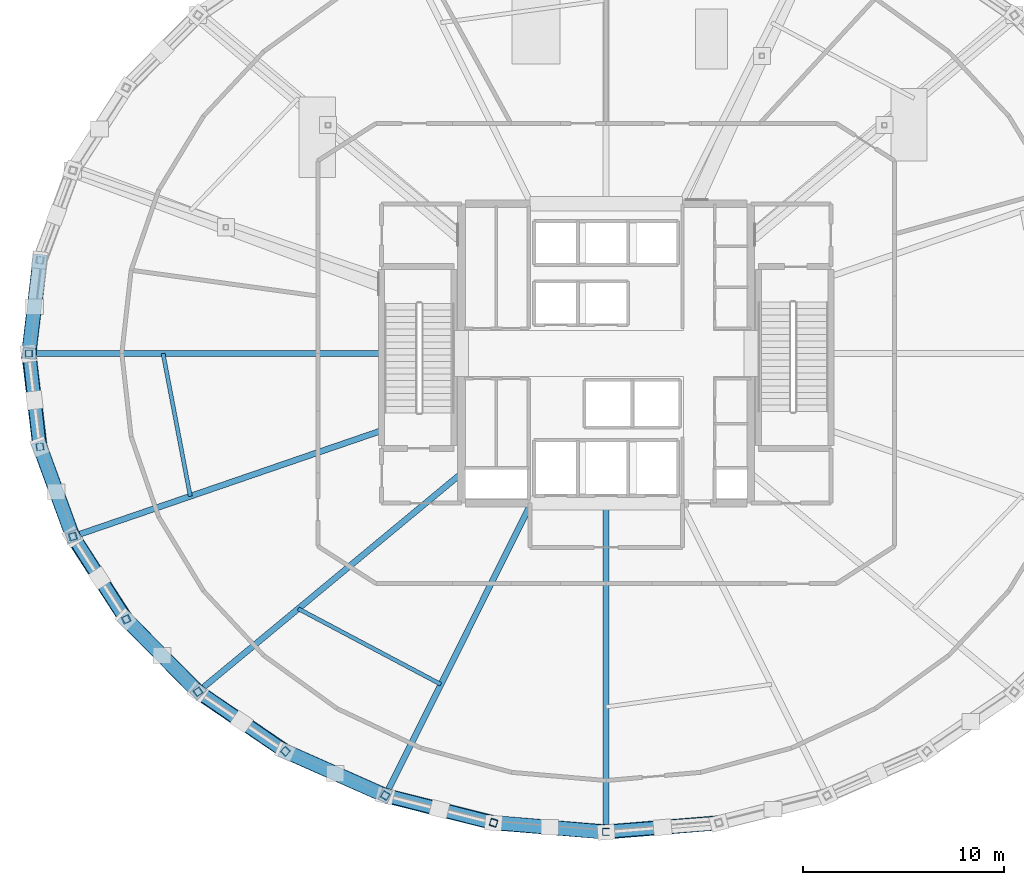
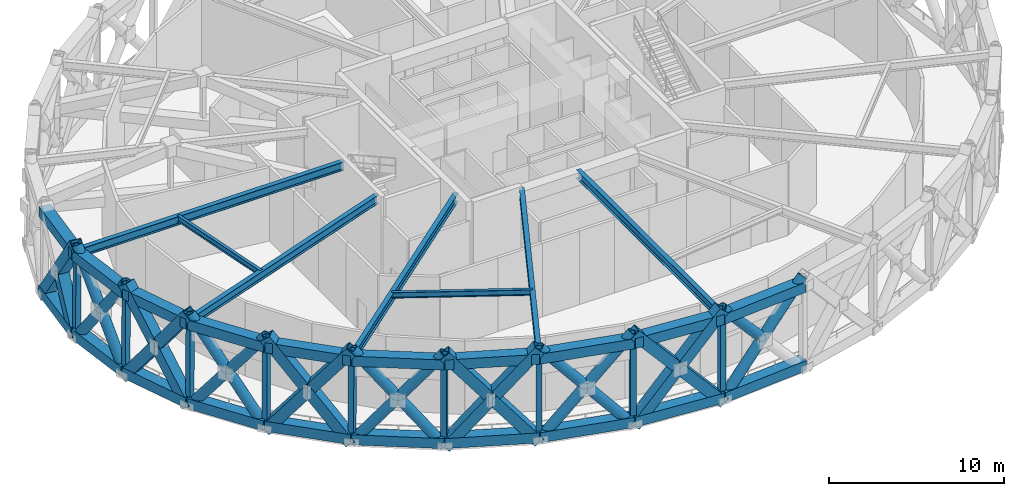
# One storey, part 1 of 15: 37 members, 27 beams.
"""IFC4 building model written with IfcOpenShell, lengths in metres."""

from ifc_helpers import new_model, si_unit, direction, frame, origin, origin_2d, place, context, subcontext, project, spatial, hollow_rectangle, hollow_circle, i_section, extrude, material, material_profile, profile_set, type_object, element, save


model = new_model("IFC4")

# Units and contexts
model_context = context("Model", 3, precision=1e-05, world=origin(), true_north=direction((0.0, 1.0)))
body_context = subcontext(model_context, "Body", "Model", "MODEL_VIEW")
ifc_project = project(units=[si_unit("LENGTHUNIT", "METRE"), si_unit("AREAUNIT", "SQUARE_METRE"), si_unit("VOLUMEUNIT", "CUBIC_METRE"), si_unit("PLANEANGLEUNIT", "RADIAN"), si_unit("MASSUNIT", "GRAM", prefix="KILO")], contexts=[model_context])

# Site, building, storey
site_placement = place(None, origin())
site = spatial("IfcSite", under=ifc_project, at=site_placement, CompositionType="ELEMENT")
building_placement = place(site_placement, origin())
building = spatial("IfcBuilding", under=site, at=building_placement, Name="Veldorina Hangang Commons", CompositionType="ELEMENT")
storey_placement = place(building_placement, frame((0.0, 0.0, 110.800048828125)))
storey = spatial("IfcBuildingStorey", under=building, at=storey_placement, Name="L28", CompositionType="ELEMENT", Elevation=110.800048828125)

# Beams
ifc_material_1 = material(Name="Steel SM460-TMC", Category="steel")
ifc_material_profile_1 = material_profile(ifc_material_1, hollow_rectangle(XDim=0.699951171875, YDim=0.699951171875, WallThickness=0.034912109375, at=origin_2d()), Name="BOX-700x700x35")
ifc_profile_set_1 = profile_set([ifc_material_profile_1], Name="Steel SM460-TMC")
beam_type_1 = type_object("IfcBeamType", Name="BM-BLT700", PredefinedType="BEAM", material=ifc_profile_set_1)
for number, where, z_axis, x_axis, name in (
    (1, (3.841552734375, 28.642578125, 5.800048828125), (-0.11801673487, -0.993011606322, 0.0), (0.993011606322, -0.11801673487, 0.0), "L28 perimeter hoop ring beam 15"),
    (2, (3.289794921875, 24.0, 5.800048828125), (0.11801673487, -0.993011606322, 0.0), (0.993011606322, 0.11801673487, 0.0), "L28 perimeter hoop ring beam 16"),
):
    element("IfcBeam", number, at=place(storey_placement, frame(where, z_axis=z_axis, x_axis=x_axis)), inside=storey, type_object=beam_type_1, Name=name, PredefinedType="BEAM", context=body_context, shape_type="SweptSolid", body=[
        extrude(hollow_rectangle(XDim=0.699951171875, YDim=0.699951171875, WallThickness=0.034912109375, at=origin_2d()), origin(), (0.0, 0.0, 1.0), 4.67529296875),
    ])
beam_1_placement = place(storey_placement, frame((3.841552734375, 19.357421875, 5.800048828125), z_axis=(0.343688691321, -0.939083640289, 0.0), x_axis=(0.939083640289, 0.343688691321, 0.0)))
element("IfcBeam", 3, at=beam_1_placement, inside=storey, type_object=beam_type_1, Name="L28 perimeter hoop ring beam 17", PredefinedType="BEAM", context=body_context, shape_type="SweptSolid", body=[
    extrude(hollow_rectangle(XDim=0.699951171875, YDim=0.699951171875, WallThickness=0.034912109375, at=origin_2d()), origin(), (0.0, 0.0, 1.0), 4.753662109375),
])
beam_2_placement = place(storey_placement, frame((5.475341796875, 14.893310546875, 5.800048828125), z_axis=(0.541941702244, -0.840416082288, 0.0), x_axis=(0.840416082288, 0.541941702244, 0.0)))
element("IfcBeam", 4, at=beam_2_placement, inside=storey, type_object=beam_type_1, Name="L28 perimeter hoop ring beam 18", PredefinedType="BEAM", context=body_context, shape_type="SweptSolid", body=[
    extrude(hollow_rectangle(XDim=0.699951171875, YDim=0.699951171875, WallThickness=0.034912109375, at=origin_2d()), origin(), (0.0, 0.0, 1.0), 4.8955078125),
])
beam_3_placement = place(storey_placement, frame((8.12841796875, 10.779052734375, 5.800048828125), z_axis=(0.703561848437, -0.710634030584, 0.0), x_axis=(0.710634030584, 0.703561848437, 0.0)))
element("IfcBeam", 5, at=beam_3_placement, inside=storey, type_object=beam_type_1, Name="L28 perimeter hoop ring beam 19", PredefinedType="BEAM", context=body_context, shape_type="SweptSolid", body=[
    extrude(hollow_rectangle(XDim=0.699951171875, YDim=0.699951171875, WallThickness=0.034912109375, at=origin_2d()), origin(), (0.0, 0.0, 1.0), 5.07470703125),
])
beam_4_placement = place(storey_placement, frame((11.69873046875, 7.1728515625, 5.800048828125), z_axis=(0.82684623749, -0.56242803944, 0.0), x_axis=(0.56242803944, 0.82684623749, 0.0)))
element("IfcBeam", 6, at=beam_4_placement, inside=storey, type_object=beam_type_1, Name="L28 perimeter hoop ring beam 20", PredefinedType="BEAM", context=body_context, shape_type="SweptSolid", body=[
    extrude(hollow_rectangle(XDim=0.699951171875, YDim=0.699951171875, WallThickness=0.034912109375, at=origin_2d()), origin(), (0.0, 0.0, 1.0), 5.261962890625),
])
beam_5_placement = place(storey_placement, frame((16.049560546875, 4.21337890625, 5.800048828125), z_axis=(0.914294911921, -0.405049150149, 0.0), x_axis=(0.405049150149, 0.914294911921, 0.0)))
element("IfcBeam", 7, at=beam_5_placement, inside=storey, type_object=beam_type_1, Name="L28 perimeter hoop ring beam 21", PredefinedType="BEAM", context=body_context, shape_type="SweptSolid", body=[
    extrude(hollow_rectangle(XDim=0.699951171875, YDim=0.699951171875, WallThickness=0.034912109375, at=origin_2d()), origin(), (0.0, 0.0, 1.0), 5.428955078125),
])
beam_6_placement = place(storey_placement, frame((21.01318359375, 2.014404296875, 5.800048828125), z_axis=(0.969810585596, -0.243859443259, 0.0), x_axis=(0.243859443259, 0.969810585596, 0.0)))
element("IfcBeam", 8, at=beam_6_placement, inside=storey, type_object=beam_type_1, Name="L28 perimeter hoop ring beam 22", PredefinedType="BEAM", context=body_context, shape_type="SweptSolid", body=[
    extrude(hollow_rectangle(XDim=0.699951171875, YDim=0.699951171875, WallThickness=0.034912109375, at=origin_2d()), origin(), (0.0, 0.0, 1.0), 5.553466796875),
])
for number, where, z_axis, x_axis, name in (
    (9, (26.39892578125, 0.66015625, 5.800048828125), (0.99668396872, -0.081369936074, 0.0), (0.081369936074, 0.99668396872, 0.0), "L28 perimeter hoop ring beam 23"),
    (10, (32.0, 0.202880859375, 5.800048828125), (0.99668396872, 0.081369936074, 0.0), (-0.081369936074, 0.99668396872, 0.0), "L28 perimeter hoop ring beam 24"),
):
    element("IfcBeam", number, at=place(storey_placement, frame(where, z_axis=z_axis, x_axis=x_axis)), inside=storey, type_object=beam_type_1, Name=name, PredefinedType="BEAM", context=body_context, shape_type="SweptSolid", body=[
        extrude(hollow_rectangle(XDim=0.699951171875, YDim=0.699951171875, WallThickness=0.034912109375, at=origin_2d()), origin(), (0.0, 0.0, 1.0), 5.61962890625),
    ])
for number, where, z_axis, x_axis, name in (
    (11, (3.80712890625, 28.6474609375, 0.349853515625), (-0.117997345325, -0.993013910525, 0.0), (0.993013910525, -0.117997345325, 0.0), "L28 perimeter belt truss bottom chord 15"),
    (12, (3.2548828125, 24.0, 0.349853515625), (0.117997345325, -0.993013910525, 0.0), (0.993013910525, 0.117997345325, 0.0), "L28 perimeter belt truss bottom chord 16"),
):
    element("IfcBeam", number, at=place(storey_placement, frame(where, z_axis=z_axis, x_axis=x_axis)), inside=storey, type_object=beam_type_1, Name=name, PredefinedType="BEAM", context=body_context, shape_type="SweptSolid", body=[
        extrude(hollow_rectangle(XDim=0.699951171875, YDim=0.699951171875, WallThickness=0.034912109375, at=origin_2d()), origin(), (0.0, 0.0, 1.0), 4.68017578125),
    ])
beam_7_placement = place(storey_placement, frame((3.80712890625, 19.3525390625, 0.349853515625), z_axis=(0.343736030444, -0.939066313619, 0.0), x_axis=(0.939066313619, 0.343736030444, 0.0)))
element("IfcBeam", 13, at=beam_7_placement, inside=storey, type_object=beam_type_1, Name="L28 perimeter belt truss bottom chord 17", PredefinedType="BEAM", context=body_context, shape_type="SweptSolid", body=[
    extrude(hollow_rectangle(XDim=0.699951171875, YDim=0.699951171875, WallThickness=0.034912109375, at=origin_2d()), origin(), (0.0, 0.0, 1.0), 4.7587890625),
])
beam_8_placement = place(storey_placement, frame((5.44287109375, 14.8837890625, 0.349853515625), z_axis=(0.542013393929, -0.840369847628, 0.0), x_axis=(0.840369847628, 0.542013393929, 0.0)))
element("IfcBeam", 14, at=beam_8_placement, inside=storey, type_object=beam_type_1, Name="L28 perimeter belt truss bottom chord 18", PredefinedType="BEAM", context=body_context, shape_type="SweptSolid", body=[
    extrude(hollow_rectangle(XDim=0.699951171875, YDim=0.699951171875, WallThickness=0.034912109375, at=origin_2d()), origin(), (0.0, 0.0, 1.0), 4.900634765625),
])
beam_9_placement = place(storey_placement, frame((8.09912109375, 10.765380859375, 0.349853515625), z_axis=(0.70366253431, -0.710534332603, 0.0), x_axis=(0.710534332603, 0.70366253431, 0.0)))
element("IfcBeam", 15, at=beam_9_placement, inside=storey, type_object=beam_type_1, Name="L28 perimeter belt truss bottom chord 19", PredefinedType="BEAM", context=body_context, shape_type="SweptSolid", body=[
    extrude(hollow_rectangle(XDim=0.699951171875, YDim=0.699951171875, WallThickness=0.034912109375, at=origin_2d()), origin(), (0.0, 0.0, 1.0), 5.08056640625),
])
beam_10_placement = place(storey_placement, frame((11.674072265625, 7.155517578125, 0.349853515625), z_axis=(0.826895468629, -0.562355656112, 0.0), x_axis=(0.562355656112, 0.826895468629, 0.0)))
element("IfcBeam", 16, at=beam_10_placement, inside=storey, type_object=beam_type_1, Name="L28 perimeter belt truss bottom chord 20", PredefinedType="BEAM", context=body_context, shape_type="SweptSolid", body=[
    extrude(hollow_rectangle(XDim=0.699951171875, YDim=0.699951171875, WallThickness=0.034912109375, at=origin_2d()), origin(), (0.0, 0.0, 1.0), 5.267822265625),
])
beam_11_placement = place(storey_placement, frame((16.030029296875, 4.193115234375, 0.349853515625), z_axis=(0.914312800073, -0.40500876981, 0.0), x_axis=(0.40500876981, 0.914312800073, 0.0)))
element("IfcBeam", 17, at=beam_11_placement, inside=storey, type_object=beam_type_1, Name="L28 perimeter belt truss bottom chord 21", PredefinedType="BEAM", context=body_context, shape_type="SweptSolid", body=[
    extrude(hollow_rectangle(XDim=0.699951171875, YDim=0.699951171875, WallThickness=0.034912109375, at=origin_2d()), origin(), (0.0, 0.0, 1.0), 5.435546875),
])
beam_12_placement = place(storey_placement, frame((20.999755859375, 1.99169921875, 0.349853515625), z_axis=(0.969818780043, -0.243826852247, 0.0), x_axis=(0.243826852247, 0.969818780043, 0.0)))
element("IfcBeam", 18, at=beam_12_placement, inside=storey, type_object=beam_type_1, Name="L28 perimeter belt truss bottom chord 22", PredefinedType="BEAM", context=body_context, shape_type="SweptSolid", body=[
    extrude(hollow_rectangle(XDim=0.699951171875, YDim=0.699951171875, WallThickness=0.034912109375, at=origin_2d()), origin(), (0.0, 0.0, 1.0), 5.56005859375),
])
for number, where, z_axis, x_axis, name in (
    (19, (26.39208984375, 0.635986328125, 0.349853515625), (0.996688492403, -0.081314507391, 0.0), (0.081314507391, 0.996688492403, 0.0), "L28 perimeter belt truss bottom chord 23"),
    (20, (32.0, 0.178466796875, 0.349853515625), (0.996688492403, 0.081314507391, 0.0), (-0.081314507391, 0.996688492403, 0.0), "L28 perimeter belt truss bottom chord 24"),
):
    element("IfcBeam", number, at=place(storey_placement, frame(where, z_axis=z_axis, x_axis=x_axis)), inside=storey, type_object=beam_type_1, Name=name, PredefinedType="BEAM", context=body_context, shape_type="SweptSolid", body=[
        extrude(hollow_rectangle(XDim=0.699951171875, YDim=0.699951171875, WallThickness=0.034912109375, at=origin_2d()), origin(), (0.0, 0.0, 1.0), 5.62646484375),
    ])
ifc_material_profile_2 = material_profile(ifc_material_1, i_section(OverallWidth=0.300048828125, OverallDepth=0.587890625, WebThickness=0.011962890625, FlangeThickness=0.02001953125, FilletRadius=0.01806640625, at=origin_2d()), Name="H-588x300x12x20")
ifc_profile_set_2 = profile_set([ifc_material_profile_2], Name="Steel SM460-TMC")
beam_type_2 = type_object("IfcBeamType", Name="BM-FG588", PredefinedType="BEAM", material=ifc_profile_set_2)
beam_13_placement = place(storey_placement, frame((20.820068359375, 24.0, 5.85595703125), z_axis=(-1.0, 0.0, 0.0), x_axis=(0.0, -1.0, 0.0)))
element("IfcBeam", 21, at=beam_13_placement, inside=storey, type_object=beam_type_2, Name="L28 radial floor girder 09", PredefinedType="BEAM", context=body_context, shape_type="SweptSolid", body=[
    extrude(i_section(OverallWidth=0.300048828125, OverallDepth=0.587890625, WebThickness=0.011962890625, FlangeThickness=0.02001953125, FilletRadius=0.01806640625, at=origin_2d()), origin(), (0.0, 0.0, 1.0), 17.5302734375),
])
beam_14_placement = place(storey_placement, frame((20.820068359375, 20.16162109375, 5.85595703125), z_axis=(-0.945808547847, -0.324724792433, 0.0), x_axis=(0.324724792433, -0.945808547847, 0.0)))
element("IfcBeam", 22, at=beam_14_placement, inside=storey, type_object=beam_type_2, Name="L28 radial floor girder 10", PredefinedType="BEAM", context=body_context, shape_type="SweptSolid", body=[
    extrude(i_section(OverallWidth=0.300048828125, OverallDepth=0.587890625, WebThickness=0.011962890625, FlangeThickness=0.02001953125, FilletRadius=0.01806640625, at=origin_2d()), origin(), (0.0, 0.0, 1.0), 16.223876953125),
])
beam_15_placement = place(storey_placement, frame((24.800048828125, 18.031982421875, 5.85595703125), z_axis=(-0.769913202831, -0.638148619137, 0.0), x_axis=(0.638148619137, -0.769913202831, 0.0)))
element("IfcBeam", 23, at=beam_15_placement, inside=storey, type_object=beam_type_2, Name="L28 radial floor girder 11", PredefinedType="BEAM", context=body_context, shape_type="SweptSolid", body=[
    extrude(i_section(OverallWidth=0.300048828125, OverallDepth=0.587890625, WebThickness=0.011962890625, FlangeThickness=0.02001953125, FilletRadius=0.01806640625, at=origin_2d()), origin(), (0.0, 0.0, 1.0), 17.0166015625),
])
beam_16_placement = place(storey_placement, frame((28.277099609375, 16.550048828125, 5.85595703125), z_axis=(-0.447021272714, -0.89452332655, 0.0), x_axis=(0.89452332655, -0.447021272714, 0.0)))
element("IfcBeam", 24, at=beam_16_placement, inside=storey, type_object=beam_type_2, Name="L28 radial floor girder 12", PredefinedType="BEAM", context=body_context, shape_type="SweptSolid", body=[
    extrude(i_section(OverallWidth=0.300048828125, OverallDepth=0.587890625, WebThickness=0.011962890625, FlangeThickness=0.02001953125, FilletRadius=0.01806640625, at=origin_2d()), origin(), (0.0, 0.0, 1.0), 16.24951171875),
])
beam_17_placement = place(storey_placement, frame((32.0, 16.550048828125, 5.85595703125), z_axis=(0.0, -1.0, 0.0), x_axis=(1.0, 0.0, 0.0)))
element("IfcBeam", 25, at=beam_17_placement, inside=storey, type_object=beam_type_2, Name="L28 radial floor girder 13", PredefinedType="BEAM", context=body_context, shape_type="SweptSolid", body=[
    extrude(i_section(OverallWidth=0.300048828125, OverallDepth=0.587890625, WebThickness=0.011962890625, FlangeThickness=0.02001953125, FilletRadius=0.01806640625, at=origin_2d()), origin(), (0.0, 0.0, 1.0), 16.34716796875),
])
ifc_material_2 = material(Name="Steel SM355-TMC", Category="steel")
ifc_material_profile_3 = material_profile(ifc_material_2, i_section(OverallWidth=0.199951171875, OverallDepth=0.39990234375, WebThickness=0.008056640625, FlangeThickness=0.012939453125, FilletRadius=0.012939453125, at=origin_2d()), Name="H-400x200x8x13")
ifc_profile_set_3 = profile_set([ifc_material_profile_3], Name="Steel SM355-TMC")
beam_type_3 = type_object("IfcBeamType", Name="BM-JST400", PredefinedType="JOIST", material=ifc_profile_set_3)
beam_18_placement = place(storey_placement, frame((9.951416015625, 24.0, 5.949951171875), z_axis=(0.187338562213, -0.982295405216, 0.0), x_axis=(0.982295405216, 0.187338562213, 0.0)))
element("IfcBeam", 26, at=beam_18_placement, inside=storey, type_object=beam_type_3, Name="L28 secondary floor joist 09", PredefinedType="JOIST", context=body_context, shape_type="SweptSolid", body=[
    extrude(i_section(OverallWidth=0.199951171875, OverallDepth=0.39990234375, WebThickness=0.008056640625, FlangeThickness=0.012939453125, FilletRadius=0.012939453125, at=origin_2d()), origin(), (0.0, 0.0, 1.0), 7.23291015625),
])
beam_19_placement = place(storey_placement, frame((16.67724609375, 11.29931640625, 5.949951171875), z_axis=(0.883547491479, -0.46834157439, 0.0), x_axis=(0.46834157439, 0.883547491479, 0.0)))
element("IfcBeam", 27, at=beam_19_placement, inside=storey, type_object=beam_type_3, Name="L28 secondary floor joist 11", PredefinedType="JOIST", context=body_context, shape_type="SweptSolid", body=[
    extrude(i_section(OverallWidth=0.199951171875, OverallDepth=0.39990234375, WebThickness=0.008056640625, FlangeThickness=0.012939453125, FilletRadius=0.012939453125, at=origin_2d()), origin(), (0.0, 0.0, 1.0), 8.031494140625),
])

# Members
ifc_material_profile_4 = material_profile(ifc_material_1, hollow_circle(Radius=0.324951171875, WallThickness=0.031982421875, at=origin_2d()), Name="CHS-650x32")
ifc_profile_set_4 = profile_set([ifc_material_profile_4], Name="Steel SM460-TMC")
member_type_1 = type_object("IfcMemberType", Name="DG-CHS650", PredefinedType="BRACE", material=ifc_profile_set_4)
member_1_placement = place(storey_placement, frame((3.2548828125, 24.0, 0.0), z_axis=(0.074459848672, -0.585516775292, 0.807233446277), x_axis=(0.99201073761, 0.12615346395, 0.0)))
element("IfcMember", 28, at=member_1_placement, inside=storey, type_object=member_type_1, Name="L28 continuous perimeter diagrid brace 16", PredefinedType="BRACE", context=body_context, shape_type="SweptSolid", body=[
    extrude(hollow_circle(Radius=0.324951171875, WallThickness=0.031982421875, at=origin_2d()), origin(), (0.0, 0.0, 1.0), 7.92822265625),
])
member_2_placement = place(storey_placement, frame((3.80712890625, 19.3525390625, 0.0), z_axis=(-0.064835509321, 0.586351904337, 0.807457615613), x_axis=(-0.993942145572, -0.109904555212, 0.0)))
element("IfcMember", 29, at=member_2_placement, inside=storey, type_object=member_type_1, Name="L28 split perimeter diagrid lower brace 17", PredefinedType="BRACE", context=body_context, shape_type="SweptSolid", body=[
    extrude(hollow_circle(Radius=0.324951171875, WallThickness=0.031982421875, at=origin_2d()), origin(), (0.0, 0.0, 1.0), 3.965087890625),
])
member_3_placement = place(storey_placement, frame((3.550048828125, 21.677490234375, 3.20166015625), z_axis=(-0.064781360296, 0.586360685535, 0.807455585043), x_axis=(-0.993952348018, -0.109812248267, 0.0)))
element("IfcMember", 30, at=member_3_placement, inside=storey, type_object=member_type_1, Name="L28 split perimeter diagrid upper brace 17", PredefinedType="BRACE", context=body_context, shape_type="SweptSolid", body=[
    extrude(hollow_circle(Radius=0.324951171875, WallThickness=0.031982421875, at=origin_2d()), origin(), (0.0, 0.0, 1.0), 3.9609375),
])
member_4_placement = place(storey_placement, frame((5.44287109375, 14.8837890625, 0.0), z_axis=(0.333404230763, -0.508856239234, 0.793666773087), x_axis=(0.836449329173, 0.548044268035, 0.0)))
element("IfcMember", 31, at=member_4_placement, inside=storey, type_object=member_type_1, Name="L28 continuous perimeter diagrid brace 18", PredefinedType="BRACE", context=body_context, shape_type="SweptSolid", body=[
    extrude(hollow_circle(Radius=0.324951171875, WallThickness=0.031982421875, at=origin_2d()), origin(), (0.0, 0.0, 1.0), 8.063720703125),
])
member_5_placement = place(storey_placement, frame((8.09912109375, 10.765380859375, 0.0), z_axis=(-0.325357923419, 0.512575052538, 0.794612507569), x_axis=(-0.844277321065, -0.535906526491, 0.0)))
element("IfcMember", 32, at=member_5_placement, inside=storey, type_object=member_type_1, Name="L28 split perimeter diagrid lower brace 19", PredefinedType="BRACE", context=body_context, shape_type="SweptSolid", body=[
    extrude(hollow_circle(Radius=0.324951171875, WallThickness=0.031982421875, at=origin_2d()), origin(), (0.0, 0.0, 1.0), 4.029541015625),
])
member_6_placement = place(storey_placement, frame((6.7880859375, 12.830810546875, 3.201904296875), z_axis=(-0.325310104017, 0.512683386006, 0.794562195136), x_axis=(-0.84436418494, -0.535769654973, 0.0)))
element("IfcMember", 33, at=member_6_placement, inside=storey, type_object=member_type_1, Name="L28 split perimeter diagrid upper brace 19", PredefinedType="BRACE", context=body_context, shape_type="SweptSolid", body=[
    extrude(hollow_circle(Radius=0.324951171875, WallThickness=0.031982421875, at=origin_2d()), origin(), (0.0, 0.0, 1.0), 4.02490234375),
])
member_7_placement = place(storey_placement, frame((11.674072265625, 7.155517578125, 0.0), z_axis=(0.527885556882, -0.354534181594, 0.771778694262), x_axis=(0.557539039616, 0.830150720836, 0.0)))
element("IfcMember", 34, at=member_7_placement, inside=storey, type_object=member_type_1, Name="L28 continuous perimeter diagrid brace 20", PredefinedType="BRACE", context=body_context, shape_type="SweptSolid", body=[
    extrude(hollow_circle(Radius=0.324951171875, WallThickness=0.031982421875, at=origin_2d()), origin(), (0.0, 0.0, 1.0), 8.29248046875),
])
member_8_placement = place(storey_placement, frame((16.030029296875, 4.193115234375, 0.0), z_axis=(-0.522712583066, 0.359965186558, 0.772784976543), x_axis=(-0.567170909608, -0.82360012099, 0.0)))
element("IfcMember", 35, at=member_8_placement, inside=storey, type_object=member_type_1, Name="L28 split perimeter diagrid lower brace 21", PredefinedType="BRACE", context=body_context, shape_type="SweptSolid", body=[
    extrude(hollow_circle(Radius=0.324951171875, WallThickness=0.031982421875, at=origin_2d()), origin(), (0.0, 0.0, 1.0), 4.143310546875),
])
member_9_placement = place(storey_placement, frame((13.8642578125, 5.6845703125, 3.201904296875), z_axis=(-0.522634859248, 0.360104208246, 0.772772775854), x_axis=(-0.567376675498, -0.823458382738, 0.0)))
element("IfcMember", 36, at=member_9_placement, inside=storey, type_object=member_type_1, Name="L28 split perimeter diagrid upper brace 21", PredefinedType="BRACE", context=body_context, shape_type="SweptSolid", body=[
    extrude(hollow_circle(Radius=0.324951171875, WallThickness=0.031982421875, at=origin_2d()), origin(), (0.0, 0.0, 1.0), 4.138427734375),
])
member_10_placement = place(storey_placement, frame((20.999755859375, 1.99169921875, 0.0), z_axis=(0.636896943697, -0.156762228117, 0.754842955153), x_axis=(0.23900121597, 0.971019267968, 0.0)))
element("IfcMember", 37, at=member_10_placement, inside=storey, type_object=member_type_1, Name="L28 continuous perimeter diagrid brace 22", PredefinedType="BRACE", context=body_context, shape_type="SweptSolid", body=[
    extrude(hollow_circle(Radius=0.324951171875, WallThickness=0.031982421875, at=origin_2d()), origin(), (0.0, 0.0, 1.0), 8.478515625),
])
member_11_placement = place(storey_placement, frame((26.39208984375, 0.635986328125, 0.0), z_axis=(-0.634718045653, 0.162926898752, 0.755372641936), x_axis=(-0.248631194084, -0.968598229055, 0.0)))
element("IfcMember", 38, at=member_11_placement, inside=storey, type_object=member_type_1, Name="L28 split perimeter diagrid lower brace 23", PredefinedType="BRACE", context=body_context, shape_type="SweptSolid", body=[
    extrude(hollow_circle(Radius=0.324951171875, WallThickness=0.031982421875, at=origin_2d()), origin(), (0.0, 0.0, 1.0), 4.2392578125),
])
member_12_placement = place(storey_placement, frame((23.701416015625, 1.32666015625, 3.2021484375), z_axis=(-0.634717082845, 0.162975692906, 0.755362924869), x_axis=(-0.248701404356, -0.968580203944, 0.0)))
element("IfcMember", 39, at=member_12_placement, inside=storey, type_object=member_type_1, Name="L28 split perimeter diagrid upper brace 23", PredefinedType="BRACE", context=body_context, shape_type="SweptSolid", body=[
    extrude(hollow_circle(Radius=0.324951171875, WallThickness=0.031982421875, at=origin_2d()), origin(), (0.0, 0.0, 1.0), 4.2333984375),
])
member_13_placement = place(storey_placement, frame((32.0, 0.178466796875, 0.0), z_axis=(0.657468562521, 0.056835963184, 0.751335319671), x_axis=(-0.08612545302, 0.996284299958, 0.0)))
element("IfcMember", 40, at=member_13_placement, inside=storey, type_object=member_type_1, Name="L28 continuous perimeter diagrid brace 24", PredefinedType="BRACE", context=body_context, shape_type="SweptSolid", body=[
    extrude(hollow_circle(Radius=0.324951171875, WallThickness=0.031982421875, at=origin_2d()), origin(), (0.0, 0.0, 1.0), 8.51806640625),
])
member_14_placement = place(storey_placement, frame((34.802001953125, 0.420654296875, 3.2021484375), z_axis=(-0.658189330351, -0.050581422791, 0.751151333009), x_axis=(0.076623421786, -0.997060104123, 0.0)))
element("IfcMember", 41, at=member_14_placement, inside=storey, type_object=member_type_1, Name="L28 split perimeter diagrid upper brace 25", PredefinedType="BRACE", context=body_context, shape_type="SweptSolid", body=[
    extrude(hollow_circle(Radius=0.324951171875, WallThickness=0.031982421875, at=origin_2d()), origin(), (0.0, 0.0, 1.0), 4.257080078125),
])
ifc_material_profile_5 = material_profile(ifc_material_1, hollow_rectangle(XDim=0.699951171875, YDim=0.699951171875, WallThickness=0.034912109375, at=origin_2d()), Name="BOX-700x700x35")
ifc_profile_set_5 = profile_set([ifc_material_profile_5], Name="Steel SM460-TMC")
member_type_2 = type_object("IfcMemberType", Name="OR-BOX700", PredefinedType="BRACE", material=ifc_profile_set_5)
member_15_placement = place(storey_placement, frame((3.80712890625, 28.6474609375, 0.0), z_axis=(-0.064808449259, -0.586356292818, 0.807456601173), x_axis=(0.99394724516, -0.10985842634, 0.0)))
element("IfcMember", 42, at=member_15_placement, inside=storey, type_object=member_type_2, Name="L28 belt truss continuous brace 15", PredefinedType="BRACE", context=body_context, shape_type="SweptSolid", body=[
    extrude(hollow_rectangle(XDim=0.699951171875, YDim=0.699951171875, WallThickness=0.034912109375, at=origin_2d()), origin(), (0.0, 0.0, 1.0), 7.926025390625),
])
member_16_placement = place(storey_placement, frame((3.2548828125, 24.0, 0.0), z_axis=(0.074479060818, 0.585553145095, 0.807205292208), x_axis=(-0.992007644662, 0.126177783038, 0.0)))
element("IfcMember", 43, at=member_16_placement, inside=storey, type_object=member_type_2, Name="L28 belt truss split lower brace 16", PredefinedType="BRACE", context=body_context, shape_type="SweptSolid", body=[
    extrude(hollow_rectangle(XDim=0.699951171875, YDim=0.699951171875, WallThickness=0.034912109375, at=origin_2d()), origin(), (0.0, 0.0, 1.0), 3.96630859375),
])
member_17_placement = place(storey_placement, frame((3.80712890625, 19.3525390625, 0.0), z_axis=(0.209561961516, -0.558903312289, 0.802315942629), x_axis=(0.936343927261, 0.351084106563, 0.0)))
element("IfcMember", 44, at=member_17_placement, inside=storey, type_object=member_type_2, Name="L28 belt truss continuous brace 17", PredefinedType="BRACE", context=body_context, shape_type="SweptSolid", body=[
    extrude(hollow_rectangle(XDim=0.699951171875, YDim=0.699951171875, WallThickness=0.034912109375, at=origin_2d()), origin(), (0.0, 0.0, 1.0), 7.976806640625),
])
member_18_placement = place(storey_placement, frame((5.44287109375, 14.8837890625, 0.0), z_axis=(-0.200518822776, 0.561330249531, 0.802932470806), x_axis=(-0.941718669979, -0.336401466425, 0.0)))
element("IfcMember", 45, at=member_18_placement, inside=storey, type_object=member_type_2, Name="L28 belt truss split lower brace 18", PredefinedType="BRACE", context=body_context, shape_type="SweptSolid", body=[
    extrude(hollow_rectangle(XDim=0.699951171875, YDim=0.699951171875, WallThickness=0.034912109375, at=origin_2d()), origin(), (0.0, 0.0, 1.0), 3.987548828125),
])
member_19_placement = place(storey_placement, frame((4.643310546875, 17.1220703125, 3.20166015625), z_axis=(-0.200372991583, 0.561338591899, 0.802963043664), x_axis=(-0.941797738689, -0.336180040159, 0.0)))
element("IfcMember", 46, at=member_19_placement, inside=storey, type_object=member_type_2, Name="L28 belt truss split upper brace 18", PredefinedType="BRACE", context=body_context, shape_type="SweptSolid", body=[
    extrude(hollow_rectangle(XDim=0.699951171875, YDim=0.699951171875, WallThickness=0.034912109375, at=origin_2d()), origin(), (0.0, 0.0, 1.0), 3.983154296875),
])
member_20_placement = place(storey_placement, frame((8.09912109375, 10.765380859375, 0.0), z_axis=(0.440657946951, -0.439224427367, 0.782880882506), x_axis=(0.705953813665, 0.708257871804, 0.0)))
element("IfcMember", 47, at=member_20_placement, inside=storey, type_object=member_type_2, Name="L28 belt truss continuous brace 19", PredefinedType="BRACE", context=body_context, shape_type="SweptSolid", body=[
    extrude(hollow_rectangle(XDim=0.699951171875, YDim=0.699951171875, WallThickness=0.034912109375, at=origin_2d()), origin(), (0.0, 0.0, 1.0), 8.1748046875),
])
member_21_placement = place(storey_placement, frame((11.674072265625, 7.155517578125, 0.0), z_axis=(-0.434004843577, 0.443986775663, 0.783910415027), x_axis=(-0.715099700986, -0.699022472922, 0.0)))
element("IfcMember", 48, at=member_21_placement, inside=storey, type_object=member_type_2, Name="L28 belt truss split lower brace 20", PredefinedType="BRACE", context=body_context, shape_type="SweptSolid", body=[
    extrude(hollow_rectangle(XDim=0.699951171875, YDim=0.699951171875, WallThickness=0.034912109375, at=origin_2d()), origin(), (0.0, 0.0, 1.0), 4.08447265625),
])
member_22_placement = place(storey_placement, frame((9.9013671875, 8.968994140625, 3.201904296875), z_axis=(-0.433888559331, 0.444062497964, 0.783931894991), x_axis=(-0.715252905924, -0.698865709966, 0.0)))
element("IfcMember", 49, at=member_22_placement, inside=storey, type_object=member_type_2, Name="L28 belt truss split upper brace 20", PredefinedType="BRACE", context=body_context, shape_type="SweptSolid", body=[
    extrude(hollow_rectangle(XDim=0.699951171875, YDim=0.699951171875, WallThickness=0.034912109375, at=origin_2d()), origin(), (0.0, 0.0, 1.0), 4.079345703125),
])
member_23_placement = place(storey_placement, frame((16.030029296875, 4.193115234375, 0.0), z_axis=(0.593462275041, -0.259145581014, 0.76200137529), x_axis=(0.400178233075, 0.916437331067, 0.0)))
element("IfcMember", 50, at=member_23_placement, inside=storey, type_object=member_type_2, Name="L28 belt truss continuous brace 21", PredefinedType="BRACE", context=body_context, shape_type="SweptSolid", body=[
    extrude(hollow_rectangle(XDim=0.699951171875, YDim=0.699951171875, WallThickness=0.034912109375, at=origin_2d()), origin(), (0.0, 0.0, 1.0), 8.39892578125),
])
member_24_placement = place(storey_placement, frame((20.999755859375, 1.99169921875, 0.0), z_axis=(-0.589796821865, 0.265033440217, 0.762821725232), x_axis=(-0.409882167329, -0.912138481211, 0.0)))
element("IfcMember", 51, at=member_24_placement, inside=storey, type_object=member_type_2, Name="L28 belt truss split lower brace 22", PredefinedType="BRACE", context=body_context, shape_type="SweptSolid", body=[
    extrude(hollow_rectangle(XDim=0.699951171875, YDim=0.699951171875, WallThickness=0.034912109375, at=origin_2d()), origin(), (0.0, 0.0, 1.0), 4.19775390625),
])
member_25_placement = place(storey_placement, frame((18.52392578125, 3.104248046875, 3.2021484375), z_axis=(-0.58978226074, 0.265102088564, 0.762809129177), x_axis=(-0.409978912402, -0.912095001294, 0.0)))
element("IfcMember", 52, at=member_25_placement, inside=storey, type_object=member_type_2, Name="L28 belt truss split upper brace 22", PredefinedType="BRACE", context=body_context, shape_type="SweptSolid", body=[
    extrude(hollow_rectangle(XDim=0.699951171875, YDim=0.699951171875, WallThickness=0.034912109375, at=origin_2d()), origin(), (0.0, 0.0, 1.0), 4.192138671875),
])
member_26_placement = place(storey_placement, frame((26.39208984375, 0.635986328125, 0.0), z_axis=(0.658194183805, -0.050546562483, 0.751149426829), x_axis=(0.076570361954, 0.997064180317, 0.0)))
element("IfcMember", 53, at=member_26_placement, inside=storey, type_object=member_type_2, Name="L28 belt truss continuous brace 23", PredefinedType="BRACE", context=body_context, shape_type="SweptSolid", body=[
    extrude(hollow_rectangle(XDim=0.699951171875, YDim=0.699951171875, WallThickness=0.034912109375, at=origin_2d()), origin(), (0.0, 0.0, 1.0), 8.520263671875),
])
member_27_placement = place(storey_placement, frame((32.0, 0.178466796875, 0.0), z_axis=(-0.657456733974, 0.056826442459, 0.751346390415), x_axis=(-0.0861126707, -0.996285404864, 0.0)))
element("IfcMember", 54, at=member_27_placement, inside=storey, type_object=member_type_2, Name="L28 belt truss split lower brace 24", PredefinedType="BRACE", context=body_context, shape_type="SweptSolid", body=[
    extrude(hollow_rectangle(XDim=0.699951171875, YDim=0.699951171875, WallThickness=0.034912109375, at=origin_2d()), origin(), (0.0, 0.0, 1.0), 4.261962890625),
])
member_28_placement = place(storey_placement, frame((29.197998046875, 0.420654296875, 3.2021484375), z_axis=(-0.657480406743, 0.056845496692, 0.751324233774), x_axis=(-0.086138252024, -0.996283193444, 0.0)))
element("IfcMember", 55, at=member_28_placement, inside=storey, type_object=member_type_2, Name="L28 belt truss split upper brace 24", PredefinedType="BRACE", context=body_context, shape_type="SweptSolid", body=[
    extrude(hollow_rectangle(XDim=0.699951171875, YDim=0.699951171875, WallThickness=0.034912109375, at=origin_2d()), origin(), (0.0, 0.0, 1.0), 4.256103515625),
])
ifc_material_profile_6 = material_profile(ifc_material_2, hollow_rectangle(XDim=0.35009765625, YDim=0.35009765625, WallThickness=0.01611328125, at=origin_2d()), Name="SHS-350x350x16")
ifc_profile_set_6 = profile_set([ifc_material_profile_6], Name="Steel SM355-TMC")
member_type_3 = type_object("IfcMemberType", Name="STR-SHS350", PredefinedType="STRUT", material=ifc_profile_set_6)
for number, where, z_axis, x_axis, name in (
    (56, (3.2548828125, 24.0, 0.0), (0.006027204171, 0.0, 0.99998183624), (0.0, 1.0, 0.0), "L28 perimeter ring node post 16"),
    (57, (3.80712890625, 19.3525390625, 0.0), (0.00595091107, 0.000839231048, 0.999981941011), (-0.139643843047, 0.99020179615, 0.0), "L28 perimeter ring node post 17"),
    (58, (5.44287109375, 14.8837890625, 0.0), (0.005607594835, 0.001640316856, 0.999982931975), (-0.280752068438, 0.959780326985, 0.0), "L28 perimeter ring node post 18"),
    (59, (8.09912109375, 10.765380859375, 0.0), (0.005035399304, 0.002365111794, 0.99998452538), (-0.425136471467, 0.905129261834, 0.0), "L28 perimeter ring node post 19"),
    (60, (11.674072265625, 7.155517578125, 0.0), (0.004272467734, 0.003013615634, 0.999986331977), (-0.576396707797, 0.817170016117, 0.0), "L28 perimeter ring node post 20"),
    (61, (16.030029296875, 4.193115234375, 0.0), (0.003356945228, 0.003509533648, 0.999988206977), (-0.722641857148, 0.691222645967, 0.0), "L28 perimeter ring node post 21"),
    (62, (20.999755859375, 1.99169921875, 0.0), (0.002288829962, 0.003891010936, 0.999989810594), (-0.861934215158, 0.507020126563, 0.0), "L28 perimeter ring node post 22"),
    (63, (26.39208984375, 0.635986328125, 0.0), (0.001182563147, 0.004158044614, 0.999990656061), (-0.96185623635, 0.273555443366, 0.0), "L28 perimeter ring node post 23"),
    (64, (32.0, 0.178466796875, 0.0), (0.0, 0.004196194078, 0.999991195939), (-1.0, 0.0, 0.0), "L28 perimeter ring node post 24"),
):
    element("IfcMember", number, at=place(storey_placement, frame(where, z_axis=z_axis, x_axis=x_axis)), inside=storey, type_object=member_type_3, Name=name, PredefinedType="STRUT", context=body_context, shape_type="SweptSolid", body=[
        extrude(hollow_rectangle(XDim=0.35009765625, YDim=0.35009765625, WallThickness=0.01611328125, at=origin_2d()), origin(), (0.0, 0.0, 1.0), 6.39990234375),
    ])

save(model, "model.ifc")
